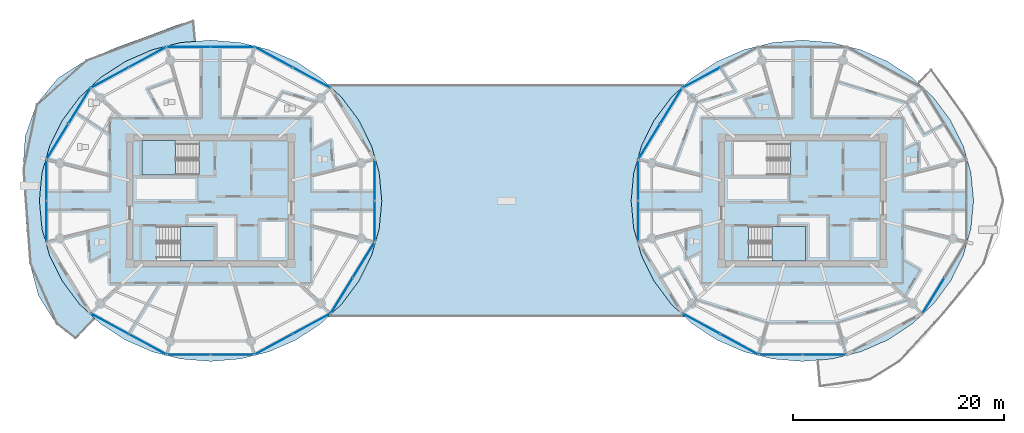
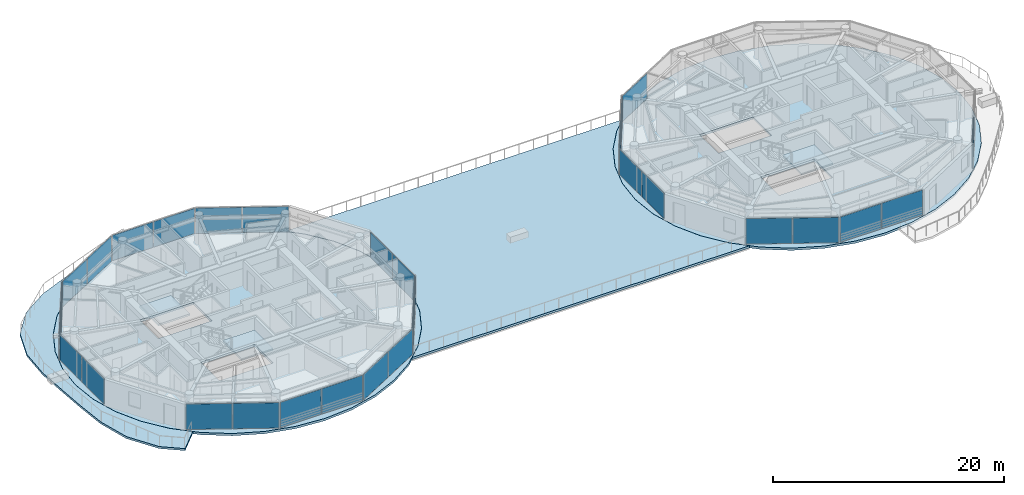
# One storey, part 11 of 30: 30 plates, 7 slabs, 19 elements without a shape of their own.
"""IFC4 building model written with IfcOpenShell, lengths in metres."""

import ifcopenshell
import ifcopenshell.guid

model = None  # the IFC model being written
_history = None  # IfcOwnerHistory: only IFC2X3 demands one
_inside = {}  # id of a spatial element -> (the spatial element, [elements in it])
_under = {}  # id of a project, library or spatial element -> (it, [spatial elements below it])
_declared = {}  # id of a project -> (the project, [libraries it declares])
_typed = {}  # id of a type object -> (the type object, [elements of that type])
_made_of = {}  # id of a material, layer set ... -> (it, [elements and type objects made of it])


def new_model(schema):
    """Start an empty IFC model of exactly this schema.

    Asked for "IFC4X3", IfcOpenShell would pick the latest addendum, in which some entities
    have other attributes; the version numbers below select the first issue.
    IFC2X3 requires an IfcOwnerHistory on every rooted entity: one is made here for all.
    """
    global model, _history
    if schema == "IFC4X3":
        model = ifcopenshell.file(schema_version=(4, 3, 0, 0))
    else:
        model = ifcopenshell.file(schema=schema)
    _inside.clear()
    _under.clear()
    _declared.clear()
    _typed.clear()
    _made_of.clear()
    _history = None
    if model.schema == "IFC2X3":
        org = make("IfcOrganization", Name="unknown")
        user = make(
            "IfcPersonAndOrganization",
            ThePerson=make("IfcPerson", FamilyName="unknown"),
            TheOrganization=org,
        )
        app = make(
            "IfcApplication",
            ApplicationDeveloper=org,
            Version="unknown",
            ApplicationFullName="unknown",
            ApplicationIdentifier="unknown",
        )
        _history = make(
            "IfcOwnerHistory",
            OwningUser=user,
            OwningApplication=app,
            ChangeAction="ADDED",
            CreationDate=0,
        )
    return model


def make(cls, **values):
    """One entity of the class cls with the attributes given. An attribute that is None is left unset."""
    return model.create_entity(
        cls, **{name: value for name, value in values.items() if value is not None}
    )


def rooted(cls, **values):
    """An entity with a GlobalId (a new one), such as an element, a storey or a relation."""
    return make(cls, GlobalId=ifcopenshell.guid.new(), OwnerHistory=_history, **values)


def si_unit(unit_type, name, prefix=None):
    """IfcSIUnit, for example si_unit("LENGTHUNIT", "METRE", prefix="MILLI")."""
    return make("IfcSIUnit", UnitType=unit_type, Prefix=prefix, Name=name)


def assignment(units):
    """IfcUnitAssignment: the units of a project."""
    return None if units is None else make("IfcUnitAssignment", Units=units)


def point(xyz):
    """IfcCartesianPoint."""
    return None if xyz is None else make("IfcCartesianPoint", Coordinates=xyz)


def direction(xyz):
    """IfcDirection."""
    return None if xyz is None else make("IfcDirection", DirectionRatios=xyz)


def frame(location, z_axis=None, x_axis=None):
    """IfcAxis2Placement3D, a coordinate frame: its origin and axes. An axis left out is left unset."""
    return make(
        "IfcAxis2Placement3D",
        Location=point(location),
        Axis=direction(z_axis),
        RefDirection=direction(x_axis),
    )


def frame_2d(location, x_axis=None):
    """IfcAxis2Placement2D, a coordinate frame in the plane: its origin and x axis."""
    return make(
        "IfcAxis2Placement2D", Location=point(location), RefDirection=direction(x_axis)
    )


def origin():
    """The frame at (0, 0, 0) with its axes left unset."""
    return frame((0.0, 0.0, 0.0))


def origin_2d():
    """The frame at (0, 0) in the plane with its x axis left unset."""
    return frame_2d((0.0, 0.0))


def place(relative_to, where):
    """IfcLocalPlacement: puts the frame where relative to a parent placement (None: the world)."""
    return make(
        "IfcLocalPlacement", PlacementRelTo=relative_to, RelativePlacement=where
    )


def context(
    kind, dimensions, precision=None, world=None, true_north=None, identifier=None
):
    """IfcGeometricRepresentationContext, for example the 3D "Model" context."""
    return make(
        "IfcGeometricRepresentationContext",
        ContextIdentifier=identifier,
        ContextType=kind,
        CoordinateSpaceDimension=dimensions,
        Precision=precision,
        WorldCoordinateSystem=world,
        TrueNorth=true_north,
    )


def subcontext(parent, identifier, kind, view, scale=None):
    """IfcGeometricRepresentationSubContext, for example "Body" below "Model"."""
    return make(
        "IfcGeometricRepresentationSubContext",
        ContextIdentifier=identifier,
        ContextType=kind,
        ParentContext=parent,
        TargetScale=scale,
        TargetView=view,
    )


def project(units=None, contexts=None):
    """IfcProject with its units and contexts."""
    return rooted(
        "IfcProject",
        Name="project",
        RepresentationContexts=contexts,
        UnitsInContext=assignment(units),
    )


def spatial(cls, under=None, at=None, **own):
    """A site, building, storey or space (cls), placed at a placement, below another one or the project."""
    s = rooted(cls, ObjectPlacement=at, **own)
    if under is not None:
        _under.setdefault(under.id(), (under, []))[1].append(s)
    return s


def polyline(points):
    """IfcPolyline through the points."""
    return make("IfcPolyline", Points=[point(p) for p in points])


def profile(cls, at=None, kind="AREA", **sizes):
    """A parametric profile (cls). Its sizes go by their IFC names, for example OverallWidth=200.0."""
    return make(cls, ProfileType=kind, Position=at, **sizes)


def rectangle(**sizes):
    """IfcRectangleProfileDef."""
    return profile("IfcRectangleProfileDef", **sizes)


def outline(outer, holes=None, kind="AREA"):
    """IfcArbitraryClosedProfileDef: a profile drawn as a closed curve; with holes, ...WithVoids."""
    if holes is None:
        return make("IfcArbitraryClosedProfileDef", ProfileType=kind, OuterCurve=outer)
    return make(
        "IfcArbitraryProfileDefWithVoids",
        ProfileType=kind,
        OuterCurve=outer,
        InnerCurves=holes,
    )


def extrude(swept, where, along, depth):
    """IfcExtrudedAreaSolid: the profile swept, set in the frame where, extruded along a direction by depth."""
    return make(
        "IfcExtrudedAreaSolid",
        SweptArea=swept,
        Position=where,
        ExtrudedDirection=direction(along),
        Depth=depth,
    )


def shape(context_of_items, identifier, shape_type, items):
    """IfcShapeRepresentation: the items that make up one representation, for example the "Body"."""
    return make(
        "IfcShapeRepresentation",
        ContextOfItems=context_of_items,
        RepresentationIdentifier=identifier,
        RepresentationType=shape_type,
        Items=items,
    )


def source(mapping_origin, context_of_items, identifier, shape_type, items):
    """IfcRepresentationMap: a shape defined once, which mapped items show again and again."""
    return make(
        "IfcRepresentationMap",
        MappingOrigin=mapping_origin,
        MappedRepresentation=shape(context_of_items, identifier, shape_type, items),
    )


def transform(
    local_origin,
    x_axis=None,
    y_axis=None,
    z_axis=None,
    scale=None,
    scale2=None,
    scale3=None,
    uniform=True,
):
    """IfcCartesianTransformationOperator3D, or its non-uniform kind. x_axis, y_axis, z_axis: its Axis1, 2, 3."""
    if uniform:
        return make(
            "IfcCartesianTransformationOperator3D",
            Axis1=direction(x_axis),
            Axis2=direction(y_axis),
            LocalOrigin=point(local_origin),
            Scale=scale,
            Axis3=direction(z_axis),
        )
    return make(
        "IfcCartesianTransformationOperator3DnonUniform",
        Axis1=direction(x_axis),
        Axis2=direction(y_axis),
        LocalOrigin=point(local_origin),
        Scale=scale,
        Axis3=direction(z_axis),
        Scale2=scale2,
        Scale3=scale3,
    )


def mapped(mapping_source, mapping_target):
    """IfcMappedItem: shows the shape of a source again, moved by a transform."""
    return make(
        "IfcMappedItem", MappingSource=mapping_source, MappingTarget=mapping_target
    )


def material(Name=None, Category=None):
    """IfcMaterial."""
    return make("IfcMaterial", Name=Name, Category=Category)


def layer(
    of_material, thickness, ventilated=None, Name=None, Category=None, Priority=None
):
    """IfcMaterialLayer: one layer of a wall or slab, of a material (None: an air gap)."""
    return make(
        "IfcMaterialLayer",
        Material=of_material,
        LayerThickness=thickness,
        IsVentilated=ventilated,
        Name=Name,
        Category=Category,
        Priority=Priority,
    )


def layer_set(layers, Name=None):
    """IfcMaterialLayerSet."""
    return make("IfcMaterialLayerSet", MaterialLayers=layers, LayerSetName=Name)


def made_of(thing, what):
    """Note that an element or type object is made of a material, layer set ...; save() writes the relation."""
    if what is not None:
        _made_of.setdefault(what.id(), (what, []))[1].append(thing)
    return thing


def type_object(cls, material=None, **own):
    """A type object (cls), such as IfcWallType, which elements share."""
    return made_of(rooted(cls, **own), material)


def type_shapes(of_type, sources):
    """Give a type object the sources (RepresentationMaps) that its elements show as mapped items."""
    of_type.RepresentationMaps = sources


def element(
    cls,
    number,
    at=None,
    inside=None,
    cuts=None,
    type_object=None,
    material=None,
    context=None,
    identifier="Body",
    shape_type=None,
    held_by="IfcProductDefinitionShape",
    body=None,
    shapes=None,
    **own,
):
    """One element of the class cls, such as IfcWall. Its Tag is "e" and its number.

    at: its placement. inside: the storey or other place that contains it. cuts: it is an
    opening in that element (IfcRelVoidsElement). A single representation is given by context,
    identifier, shape_type and body (its items); several are given by shapes. held_by: the class
    of the entity that holds the representations. save() writes the other relations.
    """
    e = rooted(cls, Tag="e%d" % number, ObjectPlacement=at, **own)
    if body is not None:
        shapes = [shape(context, identifier, shape_type, body)]
    if shapes is not None:
        e.Representation = make(held_by, Representations=shapes)
    if inside is not None:
        _inside.setdefault(inside.id(), (inside, []))[1].append(e)
    if cuts is not None:
        rooted(
            "IfcRelVoidsElement", RelatingBuildingElement=cuts, RelatedOpeningElement=e
        )
    if type_object is not None:
        _typed.setdefault(type_object.id(), (type_object, []))[1].append(e)
    return made_of(e, material)


def aggregate(whole, parts):
    """IfcRelAggregates: a whole, such as a stair, and the parts it consists of."""
    return rooted("IfcRelAggregates", RelatingObject=whole, RelatedObjects=parts)


def save(model, path):
    """Write the relations noted so far, then the file.

    IfcRelAggregates (storeys below a building ...), IfcRelContainedInSpatialStructure (elements
    in a storey), IfcRelDefinesByType, IfcRelAssociatesMaterial and IfcRelDeclares: one each for
    every whole, place, type object, material and project.
    """
    for whole, parts in _under.values():
        aggregate(whole, parts)
    for where, things in _inside.values():
        rooted(
            "IfcRelContainedInSpatialStructure",
            RelatedElements=things,
            RelatingStructure=where,
        )
    for kind, things in _typed.values():
        rooted("IfcRelDefinesByType", RelatedObjects=things, RelatingType=kind)
    for what, things in _made_of.values():
        rooted("IfcRelAssociatesMaterial", RelatedObjects=things, RelatingMaterial=what)
    for by, libraries in _declared.values():
        rooted("IfcRelDeclares", RelatingContext=by, RelatedDefinitions=libraries)
    model.write(path)


model = new_model("IFC4")

# Units and contexts
model_context = context("Model", 3, precision=1e-05, world=origin(), true_north=direction((0.0, 1.0)))
body_context = subcontext(model_context, "Body", "Model", "MODEL_VIEW")
ifc_project = project(units=[si_unit("LENGTHUNIT", "METRE"), si_unit("AREAUNIT", "SQUARE_METRE"), si_unit("VOLUMEUNIT", "CUBIC_METRE"), si_unit("PLANEANGLEUNIT", "RADIAN"), si_unit("MASSUNIT", "GRAM", prefix="KILO")], contexts=[model_context])

# Site, building, storey
site_placement = place(None, origin())
site = spatial("IfcSite", under=ifc_project, at=site_placement, CompositionType="ELEMENT")
building_placement = place(site_placement, origin())
building = spatial("IfcBuilding", under=site, at=building_placement, Name="Norrkilde Senior Care Towers", CompositionType="ELEMENT")
storey_placement = place(building_placement, frame((0.0, 0.0, 232.199951171875)))
storey = spatial("IfcBuildingStorey", under=building, at=storey_placement, Name="L72", CompositionType="ELEMENT", Elevation=232.199951171875)

# Slabs
ifc_material_1 = material(Name="Concrete C45/55", Category="concrete")
ifc_layer_1 = layer(ifc_material_1, 0.22998046875)
ifc_layer_set_1 = layer_set([ifc_layer_1], Name="Concrete C45/55")
slab_type_1 = type_object("IfcSlabType", Name="Cascading Garden Terrace Slab 230", PredefinedType="FLOOR", material=ifc_layer_set_1)
slab_1_placement = place(storey_placement, frame((0.0, 0.0, -0.22998046875)))
element("IfcSlab", 1, at=slab_1_placement, inside=storey, type_object=slab_type_1, Name="L72 Sky-Gate Bridge Observatory Roof Terrace", PredefinedType="FLOOR", context=body_context, shape_type="SweptSolid", body=[
    extrude(outline(polyline([(16.893310546875, 11.0), (15.586669921875, 9.77392578125), (15.58642578125, 9.773681640625), (15.586181640625, 9.7734375), (13.96630859375, 7.60302734375), (13.966064453125, 7.6025390625), (13.9658203125, 7.602294921875), (12.7724609375, 5.200927734375), (12.772216796875, 5.200439453125), (12.772216796875, 5.2001953125), (12.041259765625, 2.640869140625), (12.041259765625, 2.640380859375), (12.041015625, 2.639892578125), (11.794921875, 0.00048828125), (11.794921875, 0.0), (11.794921875, -0.00048828125), (12.041015625, -2.639892578125), (12.041259765625, -2.640380859375), (12.041259765625, -2.640869140625), (12.772216796875, -5.2001953125), (12.772216796875, -5.200439453125), (12.7724609375, -5.200927734375), (13.9658203125, -7.602294921875), (13.966064453125, -7.6025390625), (13.96630859375, -7.60302734375), (15.586181640625, -9.7734375), (15.58642578125, -9.773681640625), (15.586669921875, -9.77392578125), (16.893310546875, -11.0), (-16.893310546875, -11.0), (-15.586669921875, -9.77392578125), (-15.58642578125, -9.773681640625), (-15.586181640625, -9.7734375), (-13.96630859375, -7.60302734375), (-13.966064453125, -7.6025390625), (-13.9658203125, -7.602294921875), (-12.7724609375, -5.200927734375), (-12.772216796875, -5.200439453125), (-12.772216796875, -5.2001953125), (-12.041259765625, -2.640869140625), (-12.041259765625, -2.640380859375), (-12.041015625, -2.639892578125), (-11.794921875, -0.00048828125), (-11.794921875, 0.0), (-11.794921875, 0.00048828125), (-12.041015625, 2.639892578125), (-12.041259765625, 2.640380859375), (-12.041259765625, 2.640869140625), (-12.772216796875, 5.2001953125), (-12.772216796875, 5.200439453125), (-12.7724609375, 5.200927734375), (-13.9658203125, 7.602294921875), (-13.966064453125, 7.6025390625), (-13.96630859375, 7.60302734375), (-15.586181640625, 9.7734375), (-15.58642578125, 9.773681640625), (-15.586669921875, 9.77392578125), (-16.893310546875, 11.0), (16.893310546875, 11.0)])), origin(), (0.0, 0.0, 1.0), 0.22998046875),
])
ifc_material_2 = material(Name="Concrete C50/60", Category="concrete")
ifc_layer_2 = layer(ifc_material_2, 0.215087890625)
ifc_layer_set_2 = layer_set([ifc_layer_2], Name="Concrete C50/60")
slab_type_2 = type_object("IfcSlabType", Name="Sinusoidal Balcony Ribbon Slab 215", PredefinedType="FLOOR", material=ifc_layer_set_2)
slab_2_placement = place(storey_placement, frame((0.0, 0.0, -0.21484375)))
element("IfcSlab", 2, at=slab_2_placement, inside=storey, type_object=slab_type_2, Name="L72 Drum W Swirling Senior Balcony 1", PredefinedType="FLOOR", context=body_context, shape_type="SweptSolid", body=[
    extrude(outline(polyline([(-45.103515625, -5.92822265625), (-45.396484375, -2.91064453125), (-45.587890625, 0.0), (-45.757080078125, 2.978271484375), (-45.54345703125, 6.098876953125), (-44.485107421875, 9.11083984375), (-42.44921875, 11.593994140625), (-39.744384765625, 13.334716796875), (-36.837890625, 14.525634765625), (-33.9794921875, 15.568115234375), (-31.093017578125, 16.660400390625), (-29.567138671875, 17.1064453125), (-29.382568359375, 15.091552734375), (-30.81396484375, 14.97412109375), (-33.54248046875, 14.2880859375), (-36.1025390625, 13.16796875), (-38.416259765625, 11.647705078125), (-40.413818359375, 9.773681640625), (-42.033935546875, 7.6025390625), (-43.227783203125, 5.200439453125), (-43.958740234375, 2.640380859375), (-44.205078125, 0.0), (-43.958740234375, -2.640380859375), (-43.227783203125, -5.200439453125), (-42.033935546875, -7.6025390625), (-40.413818359375, -9.773681640625), (-38.916015625, -11.1787109375), (-40.7861328125, -13.09375), (-42.5712890625, -11.703125), (-44.281005859375, -8.9853515625), (-45.103515625, -5.92822265625)])), origin(), (0.0, 0.0, 1.0), 0.21484375),
])

# Stair, slab
stair_type = type_object("IfcStairType", Name="Core Protected Dogleg Stair Typical 3050", PredefinedType="HALF_TURN_STAIR", material=ifc_material_1)
stair_1_placement = place(storey_placement, origin())
stair_1 = element("IfcStair", 3, at=stair_1_placement, inside=storey, type_object=stair_type, Name="L72 Protected Core Stair W1", PredefinedType="HALF_TURN_STAIR")
ifc_layer_3 = layer(ifc_material_1, 0.199951171875)
ifc_layer_set_3 = layer_set([ifc_layer_3], Name="Concrete C45/55")
slab_type_3 = type_object("IfcSlabType", Name="Stair Landing Slab 200", PredefinedType="LANDING", material=ifc_layer_set_3)
slab_3_placement = place(storey_placement, frame((0.0, 0.0, 1.324951171875)))
slab_3 = element("IfcSlab", 4, at=slab_3_placement, type_object=slab_type_3, Name="ST-W1 landing 1", PredefinedType="LANDING", context=body_context, shape_type="SweptSolid", body=[
    extrude(outline(polyline([(-31.340087890625, 5.68994140625), (-34.5, 5.68994140625), (-34.5, 2.449951171875), (-31.340087890625, 2.449951171875), (-31.340087890625, 5.68994140625)])), origin(), (0.0, 0.0, 1.0), 0.2001953125),
])
aggregate(stair_1, [slab_3])

stair_2_placement = place(storey_placement, origin())
stair_2 = element("IfcStair", 5, at=stair_2_placement, inside=storey, type_object=stair_type, Name="L72 Protected Core Stair W2", PredefinedType="HALF_TURN_STAIR")
slab_4_placement = place(storey_placement, frame((0.0, 0.0, 1.324951171875)))
slab_4 = element("IfcSlab", 6, at=slab_4_placement, type_object=slab_type_3, Name="ST-W2 landing 1", PredefinedType="LANDING", context=body_context, shape_type="SweptSolid", body=[
    extrude(outline(polyline([(-30.860107421875, -5.68994140625), (-27.699951171875, -5.68994140625), (-27.699951171875, -2.449951171875), (-30.860107421875, -2.449951171875), (-30.860107421875, -5.68994140625)])), origin(), (0.0, 0.0, 1.0), 0.2001953125),
])
aggregate(stair_2, [slab_4])

stair_3_placement = place(storey_placement, origin())
stair_3 = element("IfcStair", 7, at=stair_3_placement, inside=storey, type_object=stair_type, Name="L72 Protected Core Stair E2", PredefinedType="HALF_TURN_STAIR")
slab_5_placement = place(storey_placement, frame((0.0, 0.0, 1.324951171875)))
slab_5 = element("IfcSlab", 8, at=slab_5_placement, type_object=slab_type_3, Name="ST-E2 landing 1", PredefinedType="LANDING", context=body_context, shape_type="SweptSolid", body=[
    extrude(outline(polyline([(25.139892578125, -5.68994140625), (28.300048828125, -5.68994140625), (28.300048828125, -2.449951171875), (25.139892578125, -2.449951171875), (25.139892578125, -5.68994140625)])), origin(), (0.0, 0.0, 1.0), 0.2001953125),
])
aggregate(stair_3, [slab_5])

# Slabs
ifc_layer_4 = layer(ifc_material_2, 0.239990234375)
ifc_layer_set_4 = layer_set([ifc_layer_4], Name="Concrete C50/60")
slab_type_4 = type_object("IfcSlabType", Name="Tower Residence Floor Slab 240", PredefinedType="FLOOR", material=ifc_layer_set_4)
slab_6_placement = place(storey_placement, frame((0.0, 0.0, -0.239990234375)))
element("IfcSlab", 9, at=slab_6_placement, inside=storey, type_object=slab_type_4, Name="L72 Drum W Structural Floor Slab", PredefinedType="FLOOR", context=body_context, shape_type="SweptSolid", body=[
    extrude(outline(polyline([(-12.777099609375, -5.19873046875), (-13.970458984375, -7.60009765625), (-15.590087890625, -9.770263671875), (-17.5869140625, -11.643798828125), (-19.89990234375, -13.16357421875), (-22.459228515625, -14.283447265625), (-25.18701171875, -14.968994140625), (-28.0, -15.199951171875), (-30.81298828125, -14.968994140625), (-33.540771484375, -14.283447265625), (-36.10009765625, -13.16357421875), (-38.4130859375, -11.643798828125), (-40.409912109375, -9.770263671875), (-42.029541015625, -7.60009765625), (-43.222900390625, -5.19873046875), (-43.953857421875, -2.639404296875), (-44.199951171875, 0.0), (-43.953857421875, 2.639404296875), (-43.222900390625, 5.19873046875), (-42.029541015625, 7.60009765625), (-40.409912109375, 9.770263671875), (-38.4130859375, 11.643798828125), (-36.10009765625, 13.16357421875), (-33.540771484375, 14.283447265625), (-30.81298828125, 14.968994140625), (-28.0, 15.199951171875), (-25.18701171875, 14.968994140625), (-22.459228515625, 14.283447265625), (-19.89990234375, 13.16357421875), (-17.5869140625, 11.643798828125), (-15.590087890625, 9.770263671875), (-13.970458984375, 7.60009765625), (-12.777099609375, 5.19873046875), (-12.046142578125, 2.639404296875), (-11.800048828125, 0.0), (-12.046142578125, -2.639404296875), (-12.777099609375, -5.19873046875)]), holes=[polyline([(-34.48193359375, 2.468017578125), (-29.117919921875, 2.468017578125), (-29.117919921875, 5.68994140625), (-34.48193359375, 5.68994140625), (-34.48193359375, 2.468017578125)]), polyline([(-27.718017578125, -5.68994140625), (-27.718017578125, -2.468017578125), (-33.08203125, -2.468017578125), (-33.08203125, -5.68994140625), (-27.718017578125, -5.68994140625)])]), origin(), (0.0, 0.0, 1.0), 0.239990234375),
])
slab_7_placement = place(storey_placement, frame((0.0, 0.0, -0.239990234375)))
element("IfcSlab", 10, at=slab_7_placement, inside=storey, type_object=slab_type_4, Name="L72 Drum E Structural Floor Slab", PredefinedType="FLOOR", context=body_context, shape_type="SweptSolid", body=[
    extrude(outline(polyline([(43.222900390625, -5.19873046875), (42.029541015625, -7.60009765625), (40.409912109375, -9.770263671875), (38.4130859375, -11.643798828125), (36.10009765625, -13.16357421875), (33.540771484375, -14.283447265625), (30.81298828125, -14.968994140625), (28.0, -15.199951171875), (25.18701171875, -14.968994140625), (22.459228515625, -14.283447265625), (19.89990234375, -13.16357421875), (17.5869140625, -11.643798828125), (15.590087890625, -9.770263671875), (13.970458984375, -7.60009765625), (12.777099609375, -5.19873046875), (12.046142578125, -2.639404296875), (11.800048828125, 0.0), (12.046142578125, 2.639404296875), (12.777099609375, 5.19873046875), (13.970458984375, 7.60009765625), (15.590087890625, 9.770263671875), (17.5869140625, 11.643798828125), (19.89990234375, 13.16357421875), (22.459228515625, 14.283447265625), (25.18701171875, 14.968994140625), (28.0, 15.199951171875), (30.81298828125, 14.968994140625), (33.540771484375, 14.283447265625), (36.10009765625, 13.16357421875), (38.4130859375, 11.643798828125), (40.409912109375, 9.770263671875), (42.029541015625, 7.60009765625), (43.222900390625, 5.19873046875), (43.953857421875, 2.639404296875), (44.199951171875, 0.0), (43.953857421875, -2.639404296875), (43.222900390625, -5.19873046875)]), holes=[polyline([(21.51806640625, 2.468017578125), (26.882080078125, 2.468017578125), (26.882080078125, 5.68994140625), (21.51806640625, 5.68994140625), (21.51806640625, 2.468017578125)]), polyline([(28.281982421875, -5.68994140625), (28.281982421875, -2.468017578125), (22.91796875, -2.468017578125), (22.91796875, -5.68994140625), (28.281982421875, -5.68994140625)])]), origin(), (0.0, 0.0, 1.0), 0.239990234375),
])

# Curtain wall, plates
ifc_material_3 = material(Name="Triple Low-E Insulated Glazing", Category="glass")
ifc_layer_5 = layer(ifc_material_3, 0.18505859375)
ifc_layer_set_5 = layer_set([ifc_layer_5], Name="Triple Low-E Insulated Glazing")
curtain_wall_type = type_object("IfcCurtainWallType", Name="CW6 Zone 4 Crown Pavilion Curtain Wall", PredefinedType="NOTDEFINED", material=ifc_layer_set_5)
curtain_wall_1_placement = place(storey_placement, origin())
curtain_wall_1 = element("IfcCurtainWall", 11, at=curtain_wall_1_placement, inside=storey, type_object=curtain_wall_type, Name="L72 Drum W Curtain Wall 01", PredefinedType="NOTDEFINED")
ifc_layer_6 = layer(ifc_material_3, 0.035888671875)
ifc_layer_set_6 = layer_set([ifc_layer_6], Name="Triple Low-E Insulated Glazing")
plate_type = type_object("IfcPlateType", Name="Triple Low-E Vision Curtain Panel 36", PredefinedType="CURTAIN_PANEL", material=ifc_layer_set_6)
shared_shape_1 = source(origin(), body_context, "Body", "SweptSolid", [
    extrude(rectangle(XDim=4.001220703125, YDim=0.035888671875, at=origin_2d()), origin(), (0.0, 0.0, 1.0), 2.68994140625),
])
plate_1_placement = place(storey_placement, frame((-22.021728515625, 13.582763671875, 0.06005859375), z_axis=(0.0, 0.0, 1.0), x_axis=(0.879373455772, -0.476132676136, 0.0)))
plate_1 = element("IfcPlate", 12, at=plate_1_placement, type_object=plate_type, Name="CW-6 panel 1.1", PredefinedType="CURTAIN_PANEL", context=body_context, shape_type="MappedRepresentation", body=[
    mapped(shared_shape_1, transform((0.0, 0.0, 0.0), x_axis=(1.0, 0.0, 0.0), y_axis=(0.0, 1.0, 0.0), z_axis=(0.0, 0.0, 1.0), scale=1.0)),
])
plate_2_placement = place(storey_placement, frame((-18.446044921875, 11.646728515625, 0.06005859375), z_axis=(0.0, 0.0, 1.0), x_axis=(0.879373455772, -0.476132676136, 0.0)))
plate_2 = element("IfcPlate", 13, at=plate_2_placement, type_object=plate_type, Name="CW-6 panel 2.1", PredefinedType="CURTAIN_PANEL", context=body_context, shape_type="MappedRepresentation", body=[
    mapped(shared_shape_1, transform((0.0, 0.0, 0.0), x_axis=(1.0, 0.0, 0.0), y_axis=(0.0, 1.0, 0.0), z_axis=(0.0, 0.0, 1.0), scale=1.0)),
])
aggregate(curtain_wall_1, [plate_1, plate_2])

curtain_wall_2_placement = place(storey_placement, origin())
curtain_wall_2 = element("IfcCurtainWall", 14, at=curtain_wall_2_placement, inside=storey, type_object=curtain_wall_type, Name="L72 Drum W Curtain Wall 03", PredefinedType="NOTDEFINED")
plate_3_placement = place(storey_placement, frame((-37.553955078125, 11.646728515625, 0.06005859375), z_axis=(0.0, 0.0, 1.0), x_axis=(0.879373455772, 0.476132676136, 0.0)))
plate_3 = element("IfcPlate", 15, at=plate_3_placement, type_object=plate_type, Name="CW-6 panel 1.1", PredefinedType="CURTAIN_PANEL", context=body_context, shape_type="MappedRepresentation", body=[
    mapped(shared_shape_1, transform((0.0, 0.0, 0.0), x_axis=(1.0, 0.0, 0.0), y_axis=(0.0, 1.0, 0.0), z_axis=(0.0, 0.0, 1.0), scale=1.0)),
])
plate_4_placement = place(storey_placement, frame((-33.978271484375, 13.582763671875, 0.06005859375), z_axis=(0.0, 0.0, 1.0), x_axis=(0.879373455772, 0.476132676136, 0.0)))
plate_4 = element("IfcPlate", 16, at=plate_4_placement, type_object=plate_type, Name="CW-6 panel 2.1", PredefinedType="CURTAIN_PANEL", context=body_context, shape_type="MappedRepresentation", body=[
    mapped(shared_shape_1, transform((0.0, 0.0, 0.0), x_axis=(1.0, 0.0, 0.0), y_axis=(0.0, 1.0, 0.0), z_axis=(0.0, 0.0, 1.0), scale=1.0)),
])
aggregate(curtain_wall_2, [plate_3, plate_4])

curtain_wall_3_placement = place(storey_placement, origin())
curtain_wall_3 = element("IfcCurtainWall", 17, at=curtain_wall_3_placement, inside=storey, type_object=curtain_wall_type, Name="L72 Drum W Curtain Wall 07", PredefinedType="NOTDEFINED")
plate_5_placement = place(storey_placement, frame((-33.978271484375, -13.582763671875, 0.06005859375), z_axis=(0.0, 0.0, 1.0), x_axis=(-0.879373455772, 0.476132676136, 0.0)))
plate_5 = element("IfcPlate", 18, at=plate_5_placement, type_object=plate_type, Name="CW-6 panel 1.1", PredefinedType="CURTAIN_PANEL", context=body_context, shape_type="MappedRepresentation", body=[
    mapped(shared_shape_1, transform((0.0, 0.0, 0.0), x_axis=(1.0, 0.0, 0.0), y_axis=(0.0, 1.0, 0.0), z_axis=(0.0, 0.0, 1.0), scale=1.0)),
])
plate_6_placement = place(storey_placement, frame((-37.553955078125, -11.646728515625, 0.06005859375), z_axis=(0.0, 0.0, 1.0), x_axis=(-0.879373455772, 0.476132676136, 0.0)))
plate_6 = element("IfcPlate", 19, at=plate_6_placement, type_object=plate_type, Name="CW-6 panel 2.1", PredefinedType="CURTAIN_PANEL", context=body_context, shape_type="MappedRepresentation", body=[
    mapped(shared_shape_1, transform((0.0, 0.0, 0.0), x_axis=(1.0, 0.0, 0.0), y_axis=(0.0, 1.0, 0.0), z_axis=(0.0, 0.0, 1.0), scale=1.0)),
])
aggregate(curtain_wall_3, [plate_5, plate_6])

curtain_wall_4_placement = place(storey_placement, origin())
curtain_wall_4 = element("IfcCurtainWall", 20, at=curtain_wall_4_placement, inside=storey, type_object=curtain_wall_type, Name="L72 Drum W Curtain Wall 09", PredefinedType="NOTDEFINED")
plate_7_placement = place(storey_placement, frame((-18.446044921875, -11.646728515625, 0.06005859375), z_axis=(0.0, 0.0, 1.0), x_axis=(-0.879373455772, -0.476132676136, 0.0)))
plate_7 = element("IfcPlate", 21, at=plate_7_placement, type_object=plate_type, Name="CW-6 panel 1.1", PredefinedType="CURTAIN_PANEL", context=body_context, shape_type="MappedRepresentation", body=[
    mapped(shared_shape_1, transform((0.0, 0.0, 0.0), x_axis=(1.0, 0.0, 0.0), y_axis=(0.0, 1.0, 0.0), z_axis=(0.0, 0.0, 1.0), scale=1.0)),
])
plate_8_placement = place(storey_placement, frame((-22.021728515625, -13.582763671875, 0.06005859375), z_axis=(0.0, 0.0, 1.0), x_axis=(-0.879373455772, -0.476132676136, 0.0)))
plate_8 = element("IfcPlate", 22, at=plate_8_placement, type_object=plate_type, Name="CW-6 panel 2.1", PredefinedType="CURTAIN_PANEL", context=body_context, shape_type="MappedRepresentation", body=[
    mapped(shared_shape_1, transform((0.0, 0.0, 0.0), x_axis=(1.0, 0.0, 0.0), y_axis=(0.0, 1.0, 0.0), z_axis=(0.0, 0.0, 1.0), scale=1.0)),
])
aggregate(curtain_wall_4, [plate_7, plate_8])

# Curtain wall, plate
curtain_wall_5_placement = place(storey_placement, origin())
curtain_wall_5 = element("IfcCurtainWall", 23, at=curtain_wall_5_placement, inside=storey, type_object=curtain_wall_type, Name="L72 Drum E Curtain Wall 03", PredefinedType="NOTDEFINED")
plate_9_placement = place(storey_placement, frame((18.446044921875, 11.646728515625, 0.06005859375), z_axis=(0.0, 0.0, 1.0), x_axis=(0.879373455772, 0.476132676136, 0.0)))
plate_9 = element("IfcPlate", 24, at=plate_9_placement, type_object=plate_type, Name="CW-6 panel 1.1", PredefinedType="CURTAIN_PANEL", context=body_context, shape_type="MappedRepresentation", body=[
    mapped(shared_shape_1, transform((0.0, 0.0, 0.0), x_axis=(1.0, 0.0, 0.0), y_axis=(0.0, 1.0, 0.0), z_axis=(0.0, 0.0, 1.0), scale=1.0)),
])
aggregate(curtain_wall_5, [plate_9])

# Curtain wall, plates
curtain_wall_6_placement = place(storey_placement, origin())
curtain_wall_6 = element("IfcCurtainWall", 25, at=curtain_wall_6_placement, inside=storey, type_object=curtain_wall_type, Name="L72 Drum E Curtain Wall 07", PredefinedType="NOTDEFINED")
plate_10_placement = place(storey_placement, frame((22.021728515625, -13.582763671875, 0.06005859375), z_axis=(0.0, 0.0, 1.0), x_axis=(-0.879373455772, 0.476132676136, 0.0)))
plate_10 = element("IfcPlate", 26, at=plate_10_placement, type_object=plate_type, Name="CW-6 panel 1.1", PredefinedType="CURTAIN_PANEL", context=body_context, shape_type="MappedRepresentation", body=[
    mapped(shared_shape_1, transform((0.0, 0.0, 0.0), x_axis=(1.0, 0.0, 0.0), y_axis=(0.0, 1.0, 0.0), z_axis=(0.0, 0.0, 1.0), scale=1.0)),
])
plate_11_placement = place(storey_placement, frame((18.446044921875, -11.646728515625, 0.06005859375), z_axis=(0.0, 0.0, 1.0), x_axis=(-0.879373455772, 0.476132676136, 0.0)))
plate_11 = element("IfcPlate", 27, at=plate_11_placement, type_object=plate_type, Name="CW-6 panel 2.1", PredefinedType="CURTAIN_PANEL", context=body_context, shape_type="MappedRepresentation", body=[
    mapped(shared_shape_1, transform((0.0, 0.0, 0.0), x_axis=(1.0, 0.0, 0.0), y_axis=(0.0, 1.0, 0.0), z_axis=(0.0, 0.0, 1.0), scale=1.0)),
])
aggregate(curtain_wall_6, [plate_10, plate_11])

curtain_wall_7_placement = place(storey_placement, origin())
curtain_wall_7 = element("IfcCurtainWall", 28, at=curtain_wall_7_placement, inside=storey, type_object=curtain_wall_type, Name="L72 Drum W Curtain Wall 02", PredefinedType="NOTDEFINED")
shared_shape_2 = source(origin(), body_context, "Body", "SweptSolid", [
    extrude(rectangle(XDim=4.064208984375, YDim=0.035888671875, at=origin_2d()), origin(), (0.0, 0.0, 1.0), 2.68994140625),
])
plate_12_placement = place(storey_placement, frame((-30.064697265625, 14.566162109375, 0.06005859375), z_axis=(0.0, 0.0, 1.0), x_axis=(1.0, 0.0, 0.0)))
plate_12 = element("IfcPlate", 29, at=plate_12_placement, type_object=plate_type, Name="CW-6 panel 1.1", PredefinedType="CURTAIN_PANEL", context=body_context, shape_type="MappedRepresentation", body=[
    mapped(shared_shape_2, transform((0.0, 0.0, 0.0), x_axis=(1.0, 0.0, 0.0), y_axis=(0.0, 1.0, 0.0), z_axis=(0.0, 0.0, 1.0), scale=1.0)),
])
plate_13_placement = place(storey_placement, frame((-25.935302734375, 14.566162109375, 0.06005859375), z_axis=(0.0, 0.0, 1.0), x_axis=(1.0, 0.0, 0.0)))
plate_13 = element("IfcPlate", 30, at=plate_13_placement, type_object=plate_type, Name="CW-6 panel 2.1", PredefinedType="CURTAIN_PANEL", context=body_context, shape_type="MappedRepresentation", body=[
    mapped(shared_shape_2, transform((0.0, 0.0, 0.0), x_axis=(1.0, 0.0, 0.0), y_axis=(0.0, 1.0, 0.0), z_axis=(0.0, 0.0, 1.0), scale=1.0)),
])
aggregate(curtain_wall_7, [plate_12, plate_13])

curtain_wall_8_placement = place(storey_placement, origin())
curtain_wall_8 = element("IfcCurtainWall", 31, at=curtain_wall_8_placement, inside=storey, type_object=curtain_wall_type, Name="L72 Drum W Curtain Wall 08", PredefinedType="NOTDEFINED")
plate_14_placement = place(storey_placement, frame((-25.935302734375, -14.566162109375, 0.06005859375), z_axis=(0.0, 0.0, 1.0), x_axis=(-1.0, 0.0, 0.0)))
plate_14 = element("IfcPlate", 32, at=plate_14_placement, type_object=plate_type, Name="CW-6 panel 1.1", PredefinedType="CURTAIN_PANEL", context=body_context, shape_type="MappedRepresentation", body=[
    mapped(shared_shape_2, transform((0.0, 0.0, 0.0), x_axis=(1.0, 0.0, 0.0), y_axis=(0.0, 1.0, 0.0), z_axis=(0.0, 0.0, 1.0), scale=1.0)),
])
plate_15_placement = place(storey_placement, frame((-30.064697265625, -14.566162109375, 0.06005859375), z_axis=(0.0, 0.0, 1.0), x_axis=(-1.0, 0.0, 0.0)))
plate_15 = element("IfcPlate", 33, at=plate_15_placement, type_object=plate_type, Name="CW-6 panel 2.1", PredefinedType="CURTAIN_PANEL", context=body_context, shape_type="MappedRepresentation", body=[
    mapped(shared_shape_2, transform((0.0, 0.0, 0.0), x_axis=(1.0, 0.0, 0.0), y_axis=(0.0, 1.0, 0.0), z_axis=(0.0, 0.0, 1.0), scale=1.0)),
])
aggregate(curtain_wall_8, [plate_14, plate_15])

curtain_wall_9_placement = place(storey_placement, origin())
curtain_wall_9 = element("IfcCurtainWall", 34, at=curtain_wall_9_placement, inside=storey, type_object=curtain_wall_type, Name="L72 Drum E Curtain Wall 08", PredefinedType="NOTDEFINED")
plate_16_placement = place(storey_placement, frame((30.064697265625, -14.566162109375, 0.06005859375), z_axis=(0.0, 0.0, 1.0), x_axis=(-1.0, 0.0, 0.0)))
plate_16 = element("IfcPlate", 35, at=plate_16_placement, type_object=plate_type, Name="CW-6 panel 1.1", PredefinedType="CURTAIN_PANEL", context=body_context, shape_type="MappedRepresentation", body=[
    mapped(shared_shape_2, transform((0.0, 0.0, 0.0), x_axis=(1.0, 0.0, 0.0), y_axis=(0.0, 1.0, 0.0), z_axis=(0.0, 0.0, 1.0), scale=1.0)),
])
plate_17_placement = place(storey_placement, frame((25.935302734375, -14.566162109375, 0.06005859375), z_axis=(0.0, 0.0, 1.0), x_axis=(-1.0, 0.0, 0.0)))
plate_17 = element("IfcPlate", 36, at=plate_17_placement, type_object=plate_type, Name="CW-6 panel 2.1", PredefinedType="CURTAIN_PANEL", context=body_context, shape_type="MappedRepresentation", body=[
    mapped(shared_shape_2, transform((0.0, 0.0, 0.0), x_axis=(1.0, 0.0, 0.0), y_axis=(0.0, 1.0, 0.0), z_axis=(0.0, 0.0, 1.0), scale=1.0)),
])
aggregate(curtain_wall_9, [plate_16, plate_17])

curtain_wall_10_placement = place(storey_placement, origin())
curtain_wall_10 = element("IfcCurtainWall", 37, at=curtain_wall_10_placement, inside=storey, type_object=curtain_wall_type, Name="L72 Drum W Curtain Wall 04", PredefinedType="NOTDEFINED")
shared_shape_3 = source(origin(), body_context, "Body", "SweptSolid", [
    extrude(rectangle(XDim=3.871826171875, YDim=0.035888671875, at=origin_2d()), origin(), (0.0, 0.0, 1.0), 2.68994140625),
])
plate_18_placement = place(storey_placement, frame((-42.483154296875, 5.60693359375, 0.06005859375), z_axis=(0.0, 0.0, 1.0), x_axis=(0.524252726748, 0.851562727283, 0.0)))
plate_18 = element("IfcPlate", 38, at=plate_18_placement, type_object=plate_type, Name="CW-6 panel 1.1", PredefinedType="CURTAIN_PANEL", context=body_context, shape_type="MappedRepresentation", body=[
    mapped(shared_shape_3, transform((0.0, 0.0, 0.0), x_axis=(1.0, 0.0, 0.0), y_axis=(0.0, 1.0, 0.0), z_axis=(0.0, 0.0, 1.0), scale=1.0)),
])
plate_19_placement = place(storey_placement, frame((-40.419189453125, 8.959228515625, 0.06005859375), z_axis=(0.0, 0.0, 1.0), x_axis=(0.524252726748, 0.851562727283, 0.0)))
plate_19 = element("IfcPlate", 39, at=plate_19_placement, type_object=plate_type, Name="CW-6 panel 2.1", PredefinedType="CURTAIN_PANEL", context=body_context, shape_type="MappedRepresentation", body=[
    mapped(shared_shape_3, transform((0.0, 0.0, 0.0), x_axis=(1.0, 0.0, 0.0), y_axis=(0.0, 1.0, 0.0), z_axis=(0.0, 0.0, 1.0), scale=1.0)),
])
aggregate(curtain_wall_10, [plate_18, plate_19])

curtain_wall_11_placement = place(storey_placement, origin())
curtain_wall_11 = element("IfcCurtainWall", 40, at=curtain_wall_11_placement, inside=storey, type_object=curtain_wall_type, Name="L72 Drum W Curtain Wall 10", PredefinedType="NOTDEFINED")
plate_20_placement = place(storey_placement, frame((-13.516845703125, -5.60693359375, 0.06005859375), z_axis=(0.0, 0.0, 1.0), x_axis=(-0.524252726748, -0.851562727283, 0.0)))
plate_20 = element("IfcPlate", 41, at=plate_20_placement, type_object=plate_type, Name="CW-6 panel 1.1", PredefinedType="CURTAIN_PANEL", context=body_context, shape_type="MappedRepresentation", body=[
    mapped(shared_shape_3, transform((0.0, 0.0, 0.0), x_axis=(1.0, 0.0, 0.0), y_axis=(0.0, 1.0, 0.0), z_axis=(0.0, 0.0, 1.0), scale=1.0)),
])
plate_21_placement = place(storey_placement, frame((-15.580810546875, -8.959228515625, 0.06005859375), z_axis=(0.0, 0.0, 1.0), x_axis=(-0.524252726748, -0.851562727283, 0.0)))
plate_21 = element("IfcPlate", 42, at=plate_21_placement, type_object=plate_type, Name="CW-6 panel 2.1", PredefinedType="CURTAIN_PANEL", context=body_context, shape_type="MappedRepresentation", body=[
    mapped(shared_shape_3, transform((0.0, 0.0, 0.0), x_axis=(1.0, 0.0, 0.0), y_axis=(0.0, 1.0, 0.0), z_axis=(0.0, 0.0, 1.0), scale=1.0)),
])
aggregate(curtain_wall_11, [plate_20, plate_21])

curtain_wall_12_placement = place(storey_placement, origin())
curtain_wall_12 = element("IfcCurtainWall", 43, at=curtain_wall_12_placement, inside=storey, type_object=curtain_wall_type, Name="L72 Drum E Curtain Wall 04", PredefinedType="NOTDEFINED")
plate_22_placement = place(storey_placement, frame((13.516845703125, 5.60693359375, 0.06005859375), z_axis=(0.0, 0.0, 1.0), x_axis=(0.524252726748, 0.851562727283, 0.0)))
plate_22 = element("IfcPlate", 44, at=plate_22_placement, type_object=plate_type, Name="CW-6 panel 1.1", PredefinedType="CURTAIN_PANEL", context=body_context, shape_type="MappedRepresentation", body=[
    mapped(shared_shape_3, transform((0.0, 0.0, 0.0), x_axis=(1.0, 0.0, 0.0), y_axis=(0.0, 1.0, 0.0), z_axis=(0.0, 0.0, 1.0), scale=1.0)),
])
plate_23_placement = place(storey_placement, frame((15.580810546875, 8.959228515625, 0.06005859375), z_axis=(0.0, 0.0, 1.0), x_axis=(0.524252726748, 0.851562727283, 0.0)))
plate_23 = element("IfcPlate", 45, at=plate_23_placement, type_object=plate_type, Name="CW-6 panel 2.1", PredefinedType="CURTAIN_PANEL", context=body_context, shape_type="MappedRepresentation", body=[
    mapped(shared_shape_3, transform((0.0, 0.0, 0.0), x_axis=(1.0, 0.0, 0.0), y_axis=(0.0, 1.0, 0.0), z_axis=(0.0, 0.0, 1.0), scale=1.0)),
])
aggregate(curtain_wall_12, [plate_22, plate_23])

# Curtain wall, plate
curtain_wall_13_placement = place(storey_placement, origin())
curtain_wall_13 = element("IfcCurtainWall", 46, at=curtain_wall_13_placement, inside=storey, type_object=curtain_wall_type, Name="L72 Drum E Curtain Wall 10", PredefinedType="NOTDEFINED")
plate_24_placement = place(storey_placement, frame((40.419189453125, -8.959228515625, 0.06005859375), z_axis=(0.0, 0.0, 1.0), x_axis=(-0.524252726748, -0.851562727283, 0.0)))
plate_24 = element("IfcPlate", 47, at=plate_24_placement, type_object=plate_type, Name="CW-6 panel 2.1", PredefinedType="CURTAIN_PANEL", context=body_context, shape_type="MappedRepresentation", body=[
    mapped(shared_shape_3, transform((0.0, 0.0, 0.0), x_axis=(1.0, 0.0, 0.0), y_axis=(0.0, 1.0, 0.0), z_axis=(0.0, 0.0, 1.0), scale=1.0)),
])
aggregate(curtain_wall_13, [plate_24])

# Curtain wall, plates
curtain_wall_14_placement = place(storey_placement, origin())
curtain_wall_14 = element("IfcCurtainWall", 48, at=curtain_wall_14_placement, inside=storey, type_object=curtain_wall_type, Name="L72 Drum W Curtain Wall 05", PredefinedType="NOTDEFINED")
shared_shape_4 = source(origin(), body_context, "Body", "SweptSolid", [
    extrude(rectangle(XDim=3.805419921875, YDim=0.035888671875, at=origin_2d()), origin(), (0.0, 0.0, 1.0), 2.68994140625),
])
type_shapes(plate_type, [shared_shape_1, shared_shape_2, shared_shape_3, shared_shape_4])
plate_25_placement = place(storey_placement, frame((-43.531982421875, -1.935302734375, 0.06005859375), z_axis=(0.0, 0.0, 1.0), x_axis=(0.0, 1.0, 0.0)))
plate_25 = element("IfcPlate", 49, at=plate_25_placement, type_object=plate_type, Name="CW-6 panel 1.1", PredefinedType="CURTAIN_PANEL", context=body_context, shape_type="MappedRepresentation", body=[
    mapped(shared_shape_4, transform((0.0, 0.0, 0.0), x_axis=(1.0, 0.0, 0.0), y_axis=(0.0, 1.0, 0.0), z_axis=(0.0, 0.0, 1.0), scale=1.0)),
])
plate_26_placement = place(storey_placement, frame((-43.531982421875, 1.935302734375, 0.06005859375), z_axis=(0.0, 0.0, 1.0), x_axis=(0.0, 1.0, 0.0)))
plate_26 = element("IfcPlate", 50, at=plate_26_placement, type_object=plate_type, Name="CW-6 panel 2.1", PredefinedType="CURTAIN_PANEL", context=body_context, shape_type="MappedRepresentation", body=[
    mapped(shared_shape_4, transform((0.0, 0.0, 0.0), x_axis=(1.0, 0.0, 0.0), y_axis=(0.0, 1.0, 0.0), z_axis=(0.0, 0.0, 1.0), scale=1.0)),
])
aggregate(curtain_wall_14, [plate_25, plate_26])

curtain_wall_15_placement = place(storey_placement, origin())
curtain_wall_15 = element("IfcCurtainWall", 51, at=curtain_wall_15_placement, inside=storey, type_object=curtain_wall_type, Name="L72 Drum W Curtain Wall 11", PredefinedType="NOTDEFINED")
plate_27_placement = place(storey_placement, frame((-12.468017578125, 1.935302734375, 0.06005859375), z_axis=(0.0, 0.0, 1.0), x_axis=(0.0, -1.0, 0.0)))
plate_27 = element("IfcPlate", 52, at=plate_27_placement, type_object=plate_type, Name="CW-6 panel 1.1", PredefinedType="CURTAIN_PANEL", context=body_context, shape_type="MappedRepresentation", body=[
    mapped(shared_shape_4, transform((0.0, 0.0, 0.0), x_axis=(1.0, 0.0, 0.0), y_axis=(0.0, 1.0, 0.0), z_axis=(0.0, 0.0, 1.0), scale=1.0)),
])
plate_28_placement = place(storey_placement, frame((-12.468017578125, -1.935302734375, 0.06005859375), z_axis=(0.0, 0.0, 1.0), x_axis=(0.0, -1.0, 0.0)))
plate_28 = element("IfcPlate", 53, at=plate_28_placement, type_object=plate_type, Name="CW-6 panel 2.1", PredefinedType="CURTAIN_PANEL", context=body_context, shape_type="MappedRepresentation", body=[
    mapped(shared_shape_4, transform((0.0, 0.0, 0.0), x_axis=(1.0, 0.0, 0.0), y_axis=(0.0, 1.0, 0.0), z_axis=(0.0, 0.0, 1.0), scale=1.0)),
])
aggregate(curtain_wall_15, [plate_27, plate_28])

curtain_wall_16_placement = place(storey_placement, origin())
curtain_wall_16 = element("IfcCurtainWall", 54, at=curtain_wall_16_placement, inside=storey, type_object=curtain_wall_type, Name="L72 Drum E Curtain Wall 05", PredefinedType="NOTDEFINED")
plate_29_placement = place(storey_placement, frame((12.468017578125, -1.935302734375, 0.06005859375), z_axis=(0.0, 0.0, 1.0), x_axis=(0.0, 1.0, 0.0)))
plate_29 = element("IfcPlate", 55, at=plate_29_placement, type_object=plate_type, Name="CW-6 panel 1.1", PredefinedType="CURTAIN_PANEL", context=body_context, shape_type="MappedRepresentation", body=[
    mapped(shared_shape_4, transform((0.0, 0.0, 0.0), x_axis=(1.0, 0.0, 0.0), y_axis=(0.0, 1.0, 0.0), z_axis=(0.0, 0.0, 1.0), scale=1.0)),
])
plate_30_placement = place(storey_placement, frame((12.468017578125, 1.935302734375, 0.06005859375), z_axis=(0.0, 0.0, 1.0), x_axis=(0.0, 1.0, 0.0)))
plate_30 = element("IfcPlate", 56, at=plate_30_placement, type_object=plate_type, Name="CW-6 panel 2.1", PredefinedType="CURTAIN_PANEL", context=body_context, shape_type="MappedRepresentation", body=[
    mapped(shared_shape_4, transform((0.0, 0.0, 0.0), x_axis=(1.0, 0.0, 0.0), y_axis=(0.0, 1.0, 0.0), z_axis=(0.0, 0.0, 1.0), scale=1.0)),
])
aggregate(curtain_wall_16, [plate_29, plate_30])

save(model, "model.ifc")
